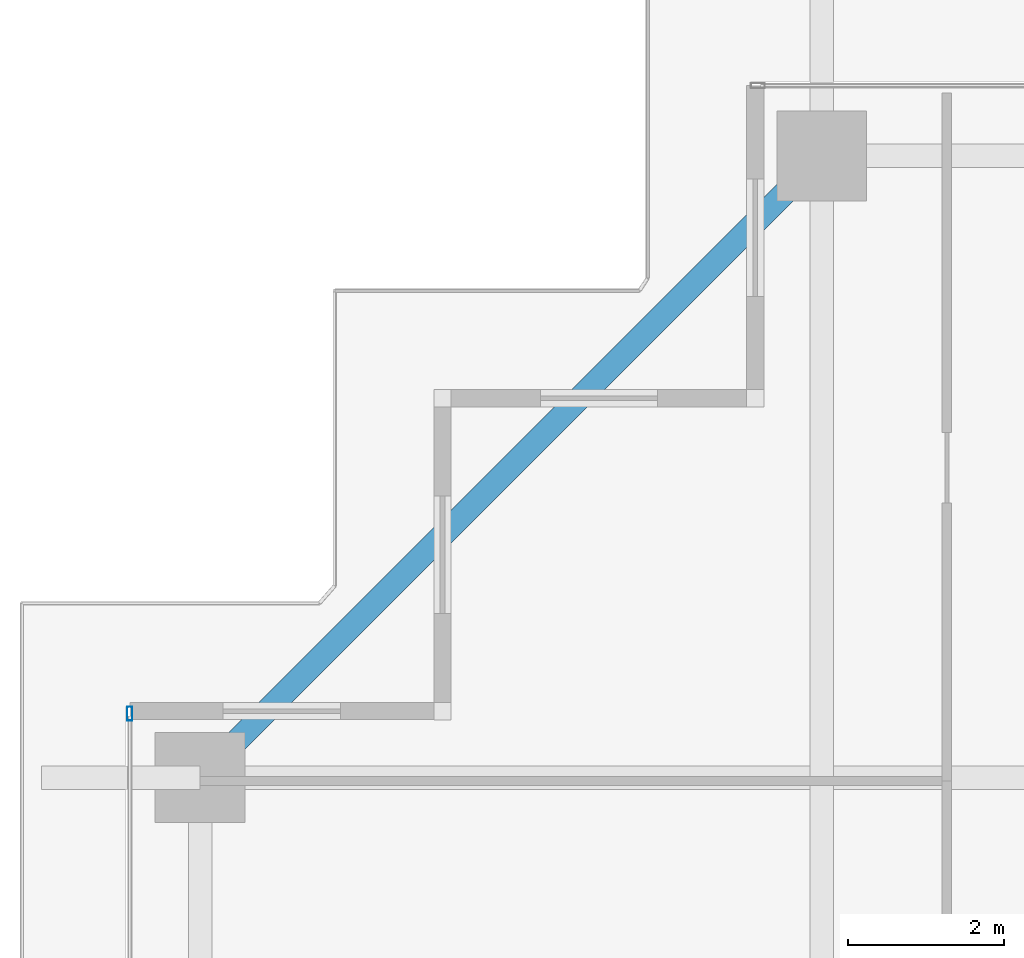
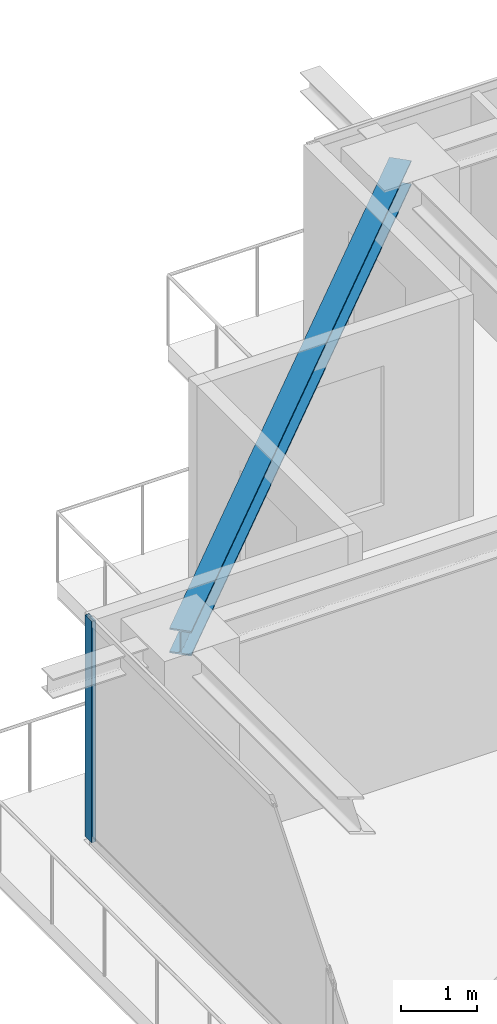
# One storey, part 18 of 38: 1 beam, 1 member, 1 element without a shape of its own.
"""IFC4 building model written with IfcOpenShell, lengths in metres."""

from ifc_helpers import new_model, si_unit, direction, frame, origin, origin_2d, place, context, subcontext, project, spatial, hollow_rectangle, i_section, extrude, source, transform, mapped, material, layer, layer_set, material_profile, profile_set, type_object, element, aggregate, save


model = new_model("IFC4")

# Units and contexts
model_context = context("Model", 3, precision=1e-05, world=origin(), true_north=direction((0.0, 1.0)))
body_context = subcontext(model_context, "Body", "Model", "MODEL_VIEW")
ifc_project = project(units=[si_unit("LENGTHUNIT", "METRE"), si_unit("AREAUNIT", "SQUARE_METRE"), si_unit("VOLUMEUNIT", "CUBIC_METRE"), si_unit("PLANEANGLEUNIT", "RADIAN"), si_unit("MASSUNIT", "GRAM", prefix="KILO")], contexts=[model_context])

# Site, building, storey
site_placement = place(None, origin())
site = spatial("IfcSite", under=ifc_project, at=site_placement, CompositionType="ELEMENT")
building_placement = place(site_placement, origin())
building = spatial("IfcBuilding", under=site, at=building_placement, Name="Serunith Strait Residences", CompositionType="ELEMENT")
storey_placement = place(building_placement, frame((0.0, 0.0, 245.10009765625)))
storey = spatial("IfcBuildingStorey", under=building, at=storey_placement, Name="L61", CompositionType="ELEMENT", Elevation=245.10009765625)

# Beam
ifc_material_1 = material(Name="Steel S355J2", Category="steel")
ifc_material_profile_1 = material_profile(ifc_material_1, i_section(OverallWidth=0.300048828125, OverallDepth=0.39990234375, WebThickness=0.013427734375, FlangeThickness=0.02392578125, FilletRadius=0.027099609375, at=origin_2d()), Name="HEB 400")
ifc_profile_set_1 = profile_set([ifc_material_profile_1], Name="Steel S355J2")
beam_type = type_object("IfcBeamType", Name="BM-HEB400", PredefinedType="BEAM", material=ifc_profile_set_1)
shared_shape_1 = source(origin(), body_context, "Body", "SweptSolid", [
    extrude(i_section(OverallWidth=0.300048828125, OverallDepth=0.39990234375, WebThickness=0.013427734375, FlangeThickness=0.02392578125, FilletRadius=0.027099609375, at=origin_2d()), origin(), (0.0, 0.0, 1.0), 11.242919921875),
])
beam_placement = place(storey_placement, frame((16.25, 48.300048828125, 3.35693359375), z_axis=(-0.707106781187, -0.707106781187, 0.0), x_axis=(0.707106781187, -0.707106781187, 0.0)))
element("IfcBeam", 1, at=beam_placement, inside=storey, type_object=beam_type, Name="L61 Perimeter Ring Beam 12", PredefinedType="BEAM", context=body_context, shape_type="MappedRepresentation", body=[
    mapped(shared_shape_1, transform((0.0, 0.0, 0.0), scale=1.0)),
])

# Curtain wall, member
ifc_material_2 = material(Name="Pale-Champagne Anodised Aluminium", Category="aluminium")
ifc_layer = layer(ifc_material_2, 0.199951171875, Name="Pale-Champagne Anodised Aluminium")
ifc_layer_set = layer_set([ifc_layer], Name="Pale-Champagne Anodised Aluminium")
curtain_wall_type = type_object("IfcCurtainWallType", Name="CW-SYS4", PredefinedType="NOTDEFINED", material=ifc_layer_set)
curtain_wall_placement = place(storey_placement, origin())
curtain_wall = element("IfcCurtainWall", 2, at=curtain_wall_placement, inside=storey, type_object=curtain_wall_type, Name="L61 W Unitised Fritted Curtain Wall", PredefinedType="NOTDEFINED")
ifc_material_profile_2 = material_profile(ifc_material_2, hollow_rectangle(XDim=0.06494140625, YDim=0.179931640625, WallThickness=0.00341796875, InnerFilletRadius=0.00537109375, OuterFilletRadius=0.0087890625, at=origin_2d()), Name="ALU 180x65x3.5")
ifc_profile_set_2 = profile_set([ifc_material_profile_2], Name="Pale-Champagne Anodised Aluminium")
member_type = type_object("IfcMemberType", Name="CW-SYS4-MULL", PredefinedType="MULLION", material=ifc_profile_set_2)
shared_shape_2 = source(origin(), body_context, "Body", "SweptSolid", [
    extrude(hollow_rectangle(XDim=0.06494140625, YDim=0.179931640625, WallThickness=0.00341796875, InnerFilletRadius=0.00537109375, OuterFilletRadius=0.0087890625, at=origin_2d()), origin(), (0.0, 0.0, 1.0), 3.574951171875),
])
member_placement = place(storey_placement, frame((7.39990234375, 41.16748046875, 0.0), z_axis=(0.0, 0.0, 1.0), x_axis=(1.0, 0.0, 0.0)))
member = element("IfcMember", 3, at=member_placement, type_object=member_type, Name="CW-4 mullion 1", PredefinedType="MULLION", context=body_context, shape_type="MappedRepresentation", body=[
    mapped(shared_shape_2, transform((0.0, 0.0, 0.0), scale=1.0)),
])
aggregate(curtain_wall, [member])

save(model, "model.ifc")
